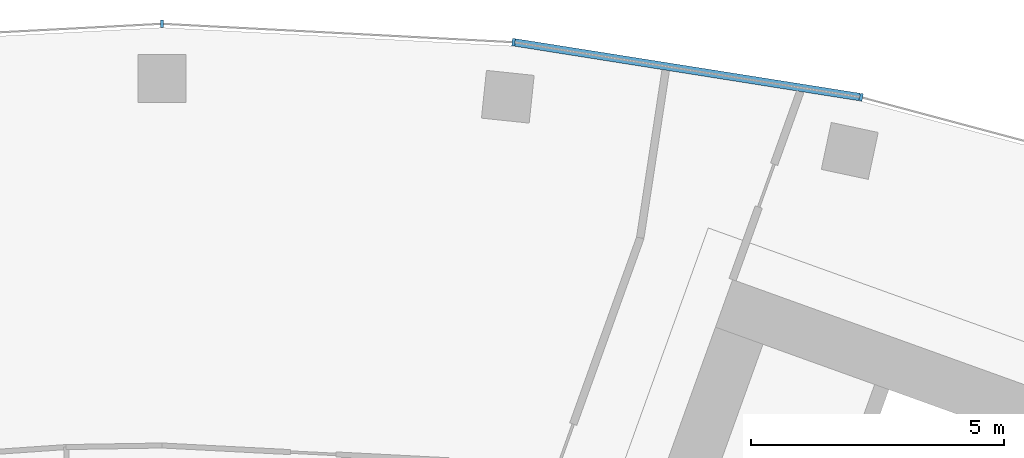
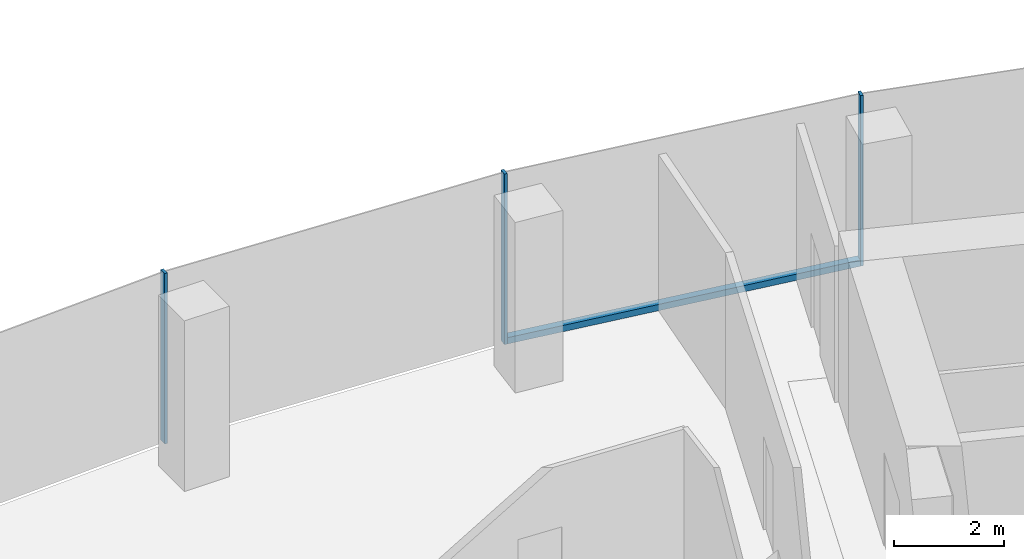
# One storey, part 6 of 19: 4 members, 1 element without a shape of its own.
"""IFC4 building model written with IfcOpenShell, lengths in metres."""

import ifcopenshell
import ifcopenshell.guid

model = None  # the IFC model being written
_history = None  # IfcOwnerHistory: only IFC2X3 demands one
_inside = {}  # id of a spatial element -> (the spatial element, [elements in it])
_under = {}  # id of a project, library or spatial element -> (it, [spatial elements below it])
_declared = {}  # id of a project -> (the project, [libraries it declares])
_typed = {}  # id of a type object -> (the type object, [elements of that type])
_made_of = {}  # id of a material, layer set ... -> (it, [elements and type objects made of it])


def new_model(schema):
    """Start an empty IFC model of exactly this schema.

    Asked for "IFC4X3", IfcOpenShell would pick the latest addendum, in which some entities
    have other attributes; the version numbers below select the first issue.
    IFC2X3 requires an IfcOwnerHistory on every rooted entity: one is made here for all.
    """
    global model, _history
    if schema == "IFC4X3":
        model = ifcopenshell.file(schema_version=(4, 3, 0, 0))
    else:
        model = ifcopenshell.file(schema=schema)
    _inside.clear()
    _under.clear()
    _declared.clear()
    _typed.clear()
    _made_of.clear()
    _history = None
    if model.schema == "IFC2X3":
        org = make("IfcOrganization", Name="unknown")
        user = make(
            "IfcPersonAndOrganization",
            ThePerson=make("IfcPerson", FamilyName="unknown"),
            TheOrganization=org,
        )
        app = make(
            "IfcApplication",
            ApplicationDeveloper=org,
            Version="unknown",
            ApplicationFullName="unknown",
            ApplicationIdentifier="unknown",
        )
        _history = make(
            "IfcOwnerHistory",
            OwningUser=user,
            OwningApplication=app,
            ChangeAction="ADDED",
            CreationDate=0,
        )
    return model


def make(cls, **values):
    """One entity of the class cls with the attributes given. An attribute that is None is left unset."""
    return model.create_entity(
        cls, **{name: value for name, value in values.items() if value is not None}
    )


def rooted(cls, **values):
    """An entity with a GlobalId (a new one), such as an element, a storey or a relation."""
    return make(cls, GlobalId=ifcopenshell.guid.new(), OwnerHistory=_history, **values)


def si_unit(unit_type, name, prefix=None):
    """IfcSIUnit, for example si_unit("LENGTHUNIT", "METRE", prefix="MILLI")."""
    return make("IfcSIUnit", UnitType=unit_type, Prefix=prefix, Name=name)


def assignment(units):
    """IfcUnitAssignment: the units of a project."""
    return None if units is None else make("IfcUnitAssignment", Units=units)


def point(xyz):
    """IfcCartesianPoint."""
    return None if xyz is None else make("IfcCartesianPoint", Coordinates=xyz)


def direction(xyz):
    """IfcDirection."""
    return None if xyz is None else make("IfcDirection", DirectionRatios=xyz)


def frame(location, z_axis=None, x_axis=None):
    """IfcAxis2Placement3D, a coordinate frame: its origin and axes. An axis left out is left unset."""
    return make(
        "IfcAxis2Placement3D",
        Location=point(location),
        Axis=direction(z_axis),
        RefDirection=direction(x_axis),
    )


def frame_2d(location, x_axis=None):
    """IfcAxis2Placement2D, a coordinate frame in the plane: its origin and x axis."""
    return make(
        "IfcAxis2Placement2D", Location=point(location), RefDirection=direction(x_axis)
    )


def origin():
    """The frame at (0, 0, 0) with its axes left unset."""
    return frame((0.0, 0.0, 0.0))


def origin_2d():
    """The frame at (0, 0) in the plane with its x axis left unset."""
    return frame_2d((0.0, 0.0))


def place(relative_to, where):
    """IfcLocalPlacement: puts the frame where relative to a parent placement (None: the world)."""
    return make(
        "IfcLocalPlacement", PlacementRelTo=relative_to, RelativePlacement=where
    )


def context(
    kind, dimensions, precision=None, world=None, true_north=None, identifier=None
):
    """IfcGeometricRepresentationContext, for example the 3D "Model" context."""
    return make(
        "IfcGeometricRepresentationContext",
        ContextIdentifier=identifier,
        ContextType=kind,
        CoordinateSpaceDimension=dimensions,
        Precision=precision,
        WorldCoordinateSystem=world,
        TrueNorth=true_north,
    )


def subcontext(parent, identifier, kind, view, scale=None):
    """IfcGeometricRepresentationSubContext, for example "Body" below "Model"."""
    return make(
        "IfcGeometricRepresentationSubContext",
        ContextIdentifier=identifier,
        ContextType=kind,
        ParentContext=parent,
        TargetScale=scale,
        TargetView=view,
    )


def project(units=None, contexts=None):
    """IfcProject with its units and contexts."""
    return rooted(
        "IfcProject",
        Name="project",
        RepresentationContexts=contexts,
        UnitsInContext=assignment(units),
    )


def spatial(cls, under=None, at=None, **own):
    """A site, building, storey or space (cls), placed at a placement, below another one or the project."""
    s = rooted(cls, ObjectPlacement=at, **own)
    if under is not None:
        _under.setdefault(under.id(), (under, []))[1].append(s)
    return s


def profile(cls, at=None, kind="AREA", **sizes):
    """A parametric profile (cls). Its sizes go by their IFC names, for example OverallWidth=200.0."""
    return make(cls, ProfileType=kind, Position=at, **sizes)


def rectangle(**sizes):
    """IfcRectangleProfileDef."""
    return profile("IfcRectangleProfileDef", **sizes)


def extrude(swept, where, along, depth):
    """IfcExtrudedAreaSolid: the profile swept, set in the frame where, extruded along a direction by depth."""
    return make(
        "IfcExtrudedAreaSolid",
        SweptArea=swept,
        Position=where,
        ExtrudedDirection=direction(along),
        Depth=depth,
    )


def shape(context_of_items, identifier, shape_type, items):
    """IfcShapeRepresentation: the items that make up one representation, for example the "Body"."""
    return make(
        "IfcShapeRepresentation",
        ContextOfItems=context_of_items,
        RepresentationIdentifier=identifier,
        RepresentationType=shape_type,
        Items=items,
    )


def material(Name=None, Category=None):
    """IfcMaterial."""
    return make("IfcMaterial", Name=Name, Category=Category)


def layer(
    of_material, thickness, ventilated=None, Name=None, Category=None, Priority=None
):
    """IfcMaterialLayer: one layer of a wall or slab, of a material (None: an air gap)."""
    return make(
        "IfcMaterialLayer",
        Material=of_material,
        LayerThickness=thickness,
        IsVentilated=ventilated,
        Name=Name,
        Category=Category,
        Priority=Priority,
    )


def layer_set(layers, Name=None):
    """IfcMaterialLayerSet."""
    return make("IfcMaterialLayerSet", MaterialLayers=layers, LayerSetName=Name)


def material_profile(
    of_material, cross_section, Name=None, Category=None, Priority=None
):
    """IfcMaterialProfile: a cross section and its material."""
    return make(
        "IfcMaterialProfile",
        Name=Name,
        Material=of_material,
        Profile=cross_section,
        Priority=Priority,
        Category=Category,
    )


def profile_set(profiles, Name=None, composite=None):
    """IfcMaterialProfileSet."""
    return make(
        "IfcMaterialProfileSet",
        Name=Name,
        MaterialProfiles=profiles,
        CompositeProfile=composite,
    )


def made_of(thing, what):
    """Note that an element or type object is made of a material, layer set ...; save() writes the relation."""
    if what is not None:
        _made_of.setdefault(what.id(), (what, []))[1].append(thing)
    return thing


def type_object(cls, material=None, **own):
    """A type object (cls), such as IfcWallType, which elements share."""
    return made_of(rooted(cls, **own), material)


def element(
    cls,
    number,
    at=None,
    inside=None,
    cuts=None,
    type_object=None,
    material=None,
    context=None,
    identifier="Body",
    shape_type=None,
    held_by="IfcProductDefinitionShape",
    body=None,
    shapes=None,
    **own,
):
    """One element of the class cls, such as IfcWall. Its Tag is "e" and its number.

    at: its placement. inside: the storey or other place that contains it. cuts: it is an
    opening in that element (IfcRelVoidsElement). A single representation is given by context,
    identifier, shape_type and body (its items); several are given by shapes. held_by: the class
    of the entity that holds the representations. save() writes the other relations.
    """
    e = rooted(cls, Tag="e%d" % number, ObjectPlacement=at, **own)
    if body is not None:
        shapes = [shape(context, identifier, shape_type, body)]
    if shapes is not None:
        e.Representation = make(held_by, Representations=shapes)
    if inside is not None:
        _inside.setdefault(inside.id(), (inside, []))[1].append(e)
    if cuts is not None:
        rooted(
            "IfcRelVoidsElement", RelatingBuildingElement=cuts, RelatedOpeningElement=e
        )
    if type_object is not None:
        _typed.setdefault(type_object.id(), (type_object, []))[1].append(e)
    return made_of(e, material)


def aggregate(whole, parts):
    """IfcRelAggregates: a whole, such as a stair, and the parts it consists of."""
    return rooted("IfcRelAggregates", RelatingObject=whole, RelatedObjects=parts)


def save(model, path):
    """Write the relations noted so far, then the file.

    IfcRelAggregates (storeys below a building ...), IfcRelContainedInSpatialStructure (elements
    in a storey), IfcRelDefinesByType, IfcRelAssociatesMaterial and IfcRelDeclares: one each for
    every whole, place, type object, material and project.
    """
    for whole, parts in _under.values():
        aggregate(whole, parts)
    for where, things in _inside.values():
        rooted(
            "IfcRelContainedInSpatialStructure",
            RelatedElements=things,
            RelatingStructure=where,
        )
    for kind, things in _typed.values():
        rooted("IfcRelDefinesByType", RelatedObjects=things, RelatingType=kind)
    for what, things in _made_of.values():
        rooted("IfcRelAssociatesMaterial", RelatedObjects=things, RelatingMaterial=what)
    for by, libraries in _declared.values():
        rooted("IfcRelDeclares", RelatingContext=by, RelatedDefinitions=libraries)
    model.write(path)


model = new_model("IFC4")

# Units and contexts
model_context = context("Model", 3, precision=1e-05, world=origin(), true_north=direction((0.0, 1.0)))
body_context = subcontext(model_context, "Body", "Model", "MODEL_VIEW")
ifc_project = project(units=[si_unit("LENGTHUNIT", "METRE"), si_unit("AREAUNIT", "SQUARE_METRE"), si_unit("VOLUMEUNIT", "CUBIC_METRE"), si_unit("PLANEANGLEUNIT", "RADIAN"), si_unit("MASSUNIT", "GRAM", prefix="KILO")], contexts=[model_context])

# Site, building, storey
site_placement = place(None, origin())
site = spatial("IfcSite", under=ifc_project, at=site_placement, CompositionType="ELEMENT")
building_placement = place(site_placement, origin())
building = spatial("IfcBuilding", under=site, at=building_placement, Name="Stone Belt Terrace Tower", CompositionType="ELEMENT")
storey_placement = place(building_placement, frame((0.0, 0.0, 204.800048828125)))
storey = spatial("IfcBuildingStorey", under=building, at=storey_placement, Name="L49", CompositionType="ELEMENT", Elevation=204.800048828125)

# Curtain wall, members
ifc_material = material(Name="Aluminium 6063-T6 anodised frame", Category="aluminium")
ifc_layer = layer(ifc_material, 0.14990234375)
ifc_layer_set = layer_set([ifc_layer], Name="CW-A unitised convex-face curtain wall")
curtain_wall_type = type_object("IfcCurtainWallType", Name="CW-A unitised convex-face curtain wall", PredefinedType="NOTDEFINED", material=ifc_layer_set)
curtain_wall_placement = place(storey_placement, origin())
curtain_wall = element("IfcCurtainWall", 1, at=curtain_wall_placement, inside=storey, type_object=curtain_wall_type, Name="CW-A convex face L49", PredefinedType="NOTDEFINED")
ifc_material_profile_1 = material_profile(ifc_material, rectangle(XDim=0.14990234375, YDim=0.06005859375, at=origin_2d()), Name="Aluminium 6063-T6 60x150")
ifc_profile_set_1 = profile_set([ifc_material_profile_1], Name="Aluminium 6063-T6 anodised frame")
member_type_1 = type_object("IfcMemberType", Name="CW-A mullion 60 x 150", PredefinedType="MULLION", material=ifc_profile_set_1)
member_1_placement = place(storey_placement, frame((13.841796875, 65.120361328125, 0.0), z_axis=(0.0, 0.0, 1.0), x_axis=(-0.207911690818, -0.978147600734, 0.0)))
member_1 = element("IfcMember", 2, at=member_1_placement, type_object=member_type_1, Name="CW-A mullion 7", PredefinedType="MULLION", context=body_context, shape_type="SweptSolid", body=[
    extrude(rectangle(XDim=0.14990234375, YDim=0.06005859375, at=origin_2d()), origin(), (0.0, 0.0, 1.0), 3.800048828125),
])
member_2_placement = place(storey_placement, frame((6.958984375, 66.21044921875, 0.0), z_axis=(0.0, 0.0, 1.0), x_axis=(-0.104528463268, -0.994521895368, 0.0)))
member_2 = element("IfcMember", 3, at=member_2_placement, type_object=member_type_1, Name="CW-A mullion 8", PredefinedType="MULLION", context=body_context, shape_type="SweptSolid", body=[
    extrude(rectangle(XDim=0.14990234375, YDim=0.06005859375, at=origin_2d()), origin(), (0.0, 0.0, 1.0), 3.800048828125),
])
member_3_placement = place(storey_placement, frame((0.0, 66.5751953125, 0.0), z_axis=(0.0, 0.0, 1.0), x_axis=(0.0, -1.0, 0.0)))
member_3 = element("IfcMember", 4, at=member_3_placement, type_object=member_type_1, Name="CW-A mullion 9", PredefinedType="MULLION", context=body_context, shape_type="SweptSolid", body=[
    extrude(rectangle(XDim=0.14990234375, YDim=0.06005859375, at=origin_2d()), origin(), (0.0, 0.0, 1.0), 3.800048828125),
])
ifc_material_profile_2 = material_profile(ifc_material, rectangle(XDim=0.14990234375, YDim=0.139892578125, at=origin_2d()), Name="Aluminium 6063-T6 150x140")
ifc_profile_set_2 = profile_set([ifc_material_profile_2], Name="Aluminium 6063-T6 anodised frame")
member_type_2 = type_object("IfcMemberType", Name="CW-A transom 140 x 150", PredefinedType="USERDEFINED", material=ifc_profile_set_2)
member_4_placement = place(storey_placement, frame((13.808349609375, 65.12548828125, 0.070068359375), z_axis=(-0.987687120531, 0.156442168027, 0.0), x_axis=(-0.156442168027, -0.987687120531, 0.0)))
member_4 = element("IfcMember", 5, at=member_4_placement, type_object=member_type_2, Name="CW-A transom 7.1", ObjectType="TRANSOM", PredefinedType="USERDEFINED", context=body_context, shape_type="SweptSolid", body=[
    extrude(rectangle(XDim=0.14990234375, YDim=0.139892578125, at=origin_2d()), origin(), (0.0, 0.0, 1.0), 6.90087890625),
])
aggregate(curtain_wall, [member_1, member_2, member_3, member_4])

save(model, "model.ifc")
